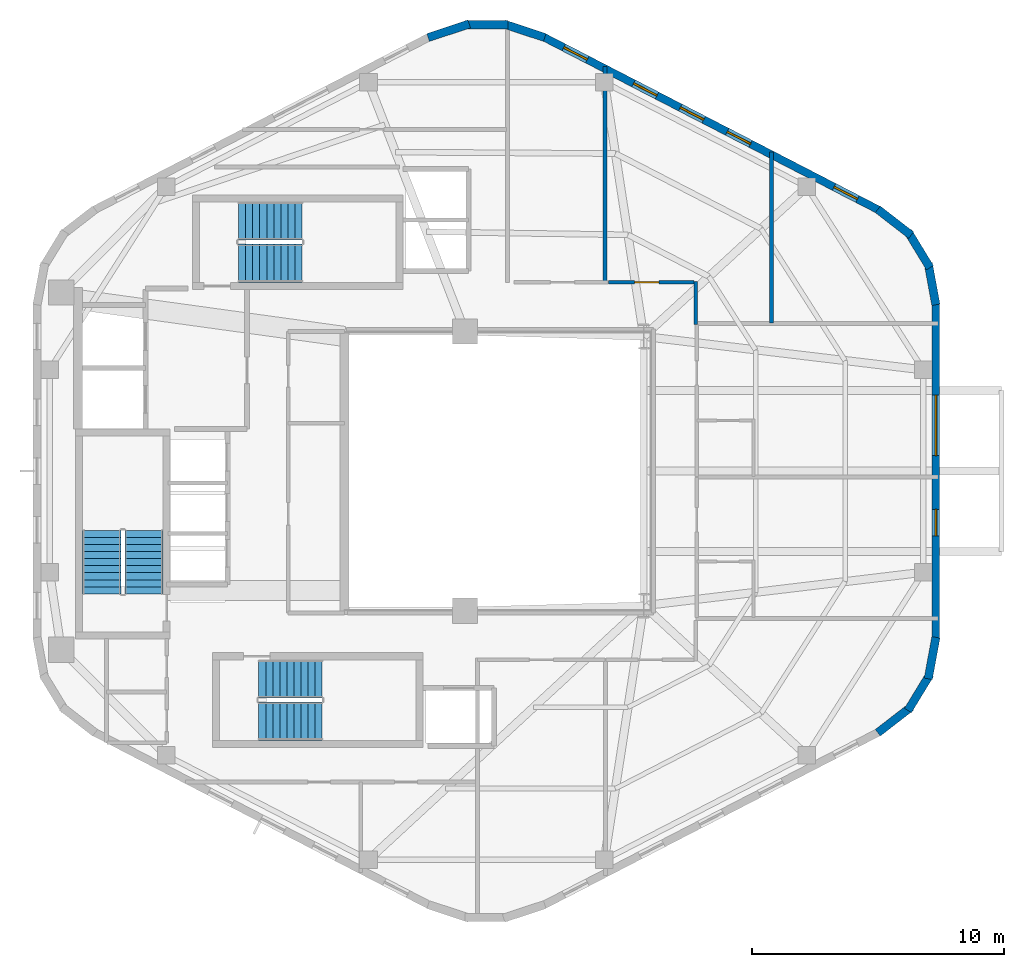
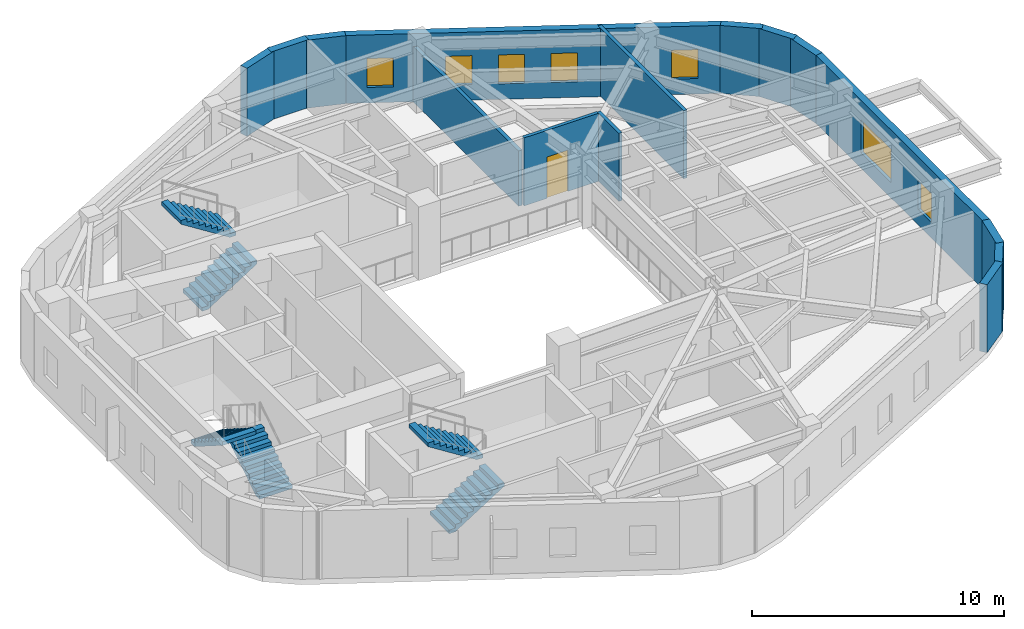
# One storey, part 5 of 6: 15 walls, 7 windows, 6 stair flights, 1 door, 8 openings, 3 elements without a shape of their own.
"""IFC4 building model written with IfcOpenShell, lengths in metres."""

from ifc_helpers import new_model, si_unit, direction, frame, frame_2d, origin, place, context, subcontext, project, spatial, polyline, rectangle, outline, extrude, material, layer, layer_set, type_object, element, fill, aggregate, save


model = new_model("IFC4")

# Units and contexts
model_context = context("Model", 3, precision=1e-05, world=origin(), true_north=direction((0.0, 1.0)))
body_context = subcontext(model_context, "Body", "Model", "MODEL_VIEW")
ifc_project = project(units=[si_unit("LENGTHUNIT", "METRE"), si_unit("AREAUNIT", "SQUARE_METRE"), si_unit("VOLUMEUNIT", "CUBIC_METRE"), si_unit("PLANEANGLEUNIT", "RADIAN"), si_unit("MASSUNIT", "GRAM", prefix="KILO"), si_unit("THERMODYNAMICTEMPERATUREUNIT", "KELVIN"), si_unit("POWERUNIT", "WATT")], contexts=[model_context])

# Site, building, storey
site_placement = place(None, origin())
site = spatial("IfcSite", under=ifc_project, at=site_placement, CompositionType="ELEMENT")
building_placement = place(site_placement, origin())
building = spatial("IfcBuilding", under=site, at=building_placement, Name="Skarre Station Tower", CompositionType="ELEMENT")
storey_placement = place(building_placement, frame((0.0, 0.0, 252.550048828125)))
storey = spatial("IfcBuildingStorey", under=building, at=storey_placement, Name="L69", CompositionType="ELEMENT", Elevation=252.550048828125)

# Wall
ifc_material_1 = material(Name="Acoustic Steel-Stud Gypsum Partition", Category="steel")
ifc_layer_1 = layer(ifc_material_1, 0.14990234375, Name="Acoustic Steel-Stud Gypsum Partition")
ifc_layer_set_1 = layer_set([ifc_layer_1], Name="Acoustic Steel-Stud Gypsum Partition")
wall_type_1 = type_object("IfcWallType", Name="Fire-Rated Corridor Acoustic Partition 150", PredefinedType="PARTITIONING", material=ifc_layer_set_1)
wall_1_placement = place(storey_placement, frame((41.52001953125, 29.820068359375, 0.0), z_axis=(0.0, 0.0, 1.0), x_axis=(0.0, 1.0, 0.0)))
element("IfcWall", 1, at=wall_1_placement, inside=storey, type_object=wall_type_1, Name="L69 Interior Partition WL-PT-L69-CORR-NER", PredefinedType="PARTITIONING", context=body_context, shape_type="SweptSolid", body=[
    extrude(rectangle(XDim=1.719970703125, YDim=0.14990234375, at=frame_2d((0.85986328125, 0.0))), origin(), (0.0, 0.0, 1.0), 3.2900390625),
])

# Wall, opening, door
wall_2_placement = place(storey_placement, frame((41.449951171875, 31.5, 0.0), z_axis=(0.0, 0.0, 1.0), x_axis=(-1.0, 0.0, 0.0)))
wall_2 = element("IfcWall", 2, at=wall_2_placement, inside=storey, type_object=wall_type_1, Name="L69 Interior Partition WL-PT-L69-NW2-CW", PredefinedType="PARTITIONING", context=body_context, shape_type="SweptSolid", body=[
    extrude(rectangle(XDim=3.40283203125, YDim=0.14990234375, at=frame_2d((1.701416015625, 0.0))), origin(), (0.0, 0.0, 1.0), 3.2900390625),
])
opening_1_placement = place(wall_2_placement, frame((1.39892578125, 0.0, 0.0)))
opening_1 = element("IfcOpeningElement", 3, at=opening_1_placement, cuts=wall_2, Name="Opening DR-FD60", PredefinedType="OPENING", context=body_context, shape_type="SweptSolid", body=[
    extrude(rectangle(XDim=0.9599609375, YDim=2.0, at=frame_2d((0.47998046875, 1.0))), frame((0.0, 0.0849609375, 0.0), z_axis=(0.0, -1.0, 0.0), x_axis=(1.0, 0.0, 0.0)), (0.0, 0.0, 1.0), 0.169921875),
])
ifc_material_2 = material(Name="Nordic White-Oak Veneer Solid-Core Fire Leaf", Category="wood")
door_type = type_object("IfcDoorType", Name="Corridor Suite Entry Fire Door FD60 960x2150", OperationType="SINGLE_SWING_LEFT", PredefinedType="DOOR", material=ifc_material_2)
door_placement = place(opening_1_placement, origin())
door = element("IfcDoor", 4, at=door_placement, inside=storey, type_object=door_type, Name="L69 NW2 Entry Door", OperationType="SINGLE_SWING_LEFT", OverallHeight=2.0, OverallWidth=0.9599609375, PredefinedType="DOOR", context=body_context, shape_type="SweptSolid", body=[
    extrude(rectangle(XDim=0.9599609375, YDim=2.0, at=frame_2d((0.47998046875, 1.0))), frame((0.0, 0.02490234375, 0.0), z_axis=(0.0, -1.0, 0.0), x_axis=(1.0, 0.0, 0.0)), (0.0, 0.0, 1.0), 0.050048828125),
])
fill(opening_1, door)

# Walls
ifc_material_3 = material(Name="Precast concrete C45/55", Category="concrete")
ifc_layer_2 = layer(ifc_material_3, 0.330078125, Name="Precast concrete C45/55")
ifc_layer_set_2 = layer_set([ifc_layer_2], Name="Precast concrete C45/55")
wall_type_2 = type_object("IfcWallType", Name="Nordic Rounded Corner Precast Wall 330", PredefinedType="STANDARD", material=ifc_layer_set_2)
wall_3_placement = place(storey_placement, frame((48.7529296875, 34.40087890625, 0.0), z_axis=(0.0, 0.0, 1.0), x_axis=(0.790691856293, -0.61221433207, 0.0)))
element("IfcWall", 5, at=wall_3_placement, inside=storey, type_object=wall_type_2, Name="L69 Rounded Corner Precast Wall F0-1", PredefinedType="STANDARD", context=body_context, shape_type="SweptSolid", body=[
    extrude(rectangle(XDim=1.67578125, YDim=0.330078125, at=frame_2d((0.837890625, 0.0))), origin(), (0.0, 0.0, 1.0), 3.2900390625),
])
wall_4_placement = place(storey_placement, frame((49.952880859375, 33.514892578125, 0.0), z_axis=(0.0, 0.0, 1.0), x_axis=(0.520325409202, -0.853968072318, 0.0)))
element("IfcWall", 6, at=wall_4_placement, inside=storey, type_object=wall_type_2, Name="L69 Rounded Corner Precast Wall F0-2", PredefinedType="STANDARD", context=body_context, shape_type="SweptSolid", body=[
    extrude(rectangle(XDim=1.677978515625, YDim=0.330078125, at=frame_2d((0.8388671875, 0.0))), origin(), (0.0, 0.0, 1.0), 3.2900390625),
])
wall_5_placement = place(storey_placement, frame((50.759033203125, 32.257080078125, 0.0), z_axis=(0.0, 0.0, 1.0), x_axis=(0.180691763044, -0.983539773862, 0.0)))
element("IfcWall", 7, at=wall_5_placement, inside=storey, type_object=wall_type_2, Name="L69 Rounded Corner Precast Wall F0-3", PredefinedType="STANDARD", context=body_context, shape_type="SweptSolid", body=[
    extrude(rectangle(XDim=1.6767578125, YDim=0.330078125, at=frame_2d((0.83837890625, 0.0))), origin(), (0.0, 0.0, 1.0), 3.2900390625),
])
wall_6_placement = place(storey_placement, frame((30.882080078125, 41.23095703125, 0.0), z_axis=(0.0, 0.0, 1.0), x_axis=(0.949713440491, 0.313120393699, 0.0)))
element("IfcWall", 8, at=wall_6_placement, inside=storey, type_object=wall_type_2, Name="L69 Rounded Corner Precast Wall F1-1", PredefinedType="STANDARD", context=body_context, shape_type="SweptSolid", body=[
    extrude(rectangle(XDim=1.7216796875, YDim=0.330078125, at=frame_2d((0.86083984375, 0.0))), origin(), (0.0, 0.0, 1.0), 3.2900390625),
])
wall_7_placement = place(storey_placement, frame((32.339111328125, 41.740966796875, 0.0), z_axis=(0.0, 0.0, 1.0), x_axis=(1.0, 0.0, 0.0)))
element("IfcWall", 9, at=wall_7_placement, inside=storey, type_object=wall_type_2, Name="L69 Rounded Corner Precast Wall F1-2", PredefinedType="STANDARD", context=body_context, shape_type="SweptSolid", body=[
    extrude(rectangle(XDim=1.721923828125, YDim=0.330078125, at=frame_2d((0.86083984375, 0.0))), origin(), (0.0, 0.0, 1.0), 3.2900390625),
])
wall_8_placement = place(storey_placement, frame((33.883056640625, 41.77001953125, 0.0), z_axis=(0.0, 0.0, 1.0), x_axis=(0.949713440491, -0.313120393699, 0.0)))
element("IfcWall", 10, at=wall_8_placement, inside=storey, type_object=wall_type_2, Name="L69 Rounded Corner Precast Wall F1-3", PredefinedType="STANDARD", context=body_context, shape_type="SweptSolid", body=[
    extrude(rectangle(XDim=1.7216796875, YDim=0.330078125, at=frame_2d((0.86083984375, 0.0))), origin(), (0.0, 0.0, 1.0), 3.2900390625),
])
wall_9_placement = place(storey_placement, frame((51.06201171875, 17.39208984375, 0.0), z_axis=(0.0, 0.0, 1.0), x_axis=(-0.180691763044, -0.983539773862, 0.0)))
element("IfcWall", 11, at=wall_9_placement, inside=storey, type_object=wall_type_2, Name="L69 Rounded Corner Precast Wall F5-1", PredefinedType="STANDARD", context=body_context, shape_type="SweptSolid", body=[
    extrude(rectangle(XDim=1.6767578125, YDim=0.330078125, at=frame_2d((0.83837890625, 0.0))), origin(), (0.0, 0.0, 1.0), 3.2900390625),
])
wall_10_placement = place(storey_placement, frame((50.825927734375, 15.91796875, 0.0), z_axis=(0.0, 0.0, 1.0), x_axis=(-0.520325409202, -0.853968072318, 0.0)))
element("IfcWall", 12, at=wall_10_placement, inside=storey, type_object=wall_type_2, Name="L69 Rounded Corner Precast Wall F5-2", PredefinedType="STANDARD", context=body_context, shape_type="SweptSolid", body=[
    extrude(rectangle(XDim=1.677978515625, YDim=0.330078125, at=frame_2d((0.8388671875, 0.0))), origin(), (0.0, 0.0, 1.0), 3.2900390625),
])
wall_11_placement = place(storey_placement, frame((50.077880859375, 14.625, 0.0), z_axis=(0.0, 0.0, 1.0), x_axis=(-0.790691856293, -0.61221433207, 0.0)))
element("IfcWall", 13, at=wall_11_placement, inside=storey, type_object=wall_type_2, Name="L69 Rounded Corner Precast Wall F5-3", PredefinedType="STANDARD", context=body_context, shape_type="SweptSolid", body=[
    extrude(rectangle(XDim=1.67578125, YDim=0.330078125, at=frame_2d((0.837890625, 0.0))), origin(), (0.0, 0.0, 1.0), 3.2900390625),
])

# Wall, openings, windows
ifc_layer_3 = layer(ifc_material_3, 0.31005859375, Name="Precast concrete C45/55")
ifc_layer_set_3 = layer_set([ifc_layer_3], Name="Precast concrete C45/55")
wall_type_3 = type_object("IfcWallType", Name="Nordic Upper-Zone Precast Facet Wall 310", PredefinedType="STANDARD", material=ifc_layer_set_3)
wall_12_placement = place(storey_placement, frame((35.43701171875, 41.27001953125, 0.0), z_axis=(0.0, 0.0, 1.0), x_axis=(0.888581481622, -0.458718814218, 0.0)))
wall_12 = element("IfcWall", 14, at=wall_12_placement, inside=storey, type_object=wall_type_3, Name="L69 Facet 0 Nordic Precast Masonry Wall", PredefinedType="STANDARD", context=body_context, shape_type="SweptSolid", body=[
    extrude(rectangle(XDim=15.076904296875, YDim=0.31005859375, at=frame_2d((7.53857421875, 0.0))), origin(), (0.0, 0.0, 1.0), 3.2900390625),
])
opening_2_placement = place(wall_12_placement, frame((0.94189453125, 0.0, 0.75)))
opening_2 = element("IfcOpeningElement", 15, at=opening_2_placement, cuts=wall_12, Name="Opening WN-SLT", PredefinedType="OPENING", context=body_context, shape_type="SweptSolid", body=[
    extrude(rectangle(XDim=1.050048828125, YDim=1.39990234375, at=frame_2d((0.52490234375, 0.699951171875))), frame((0.0, 0.1650390625, 0.0), z_axis=(0.0, -1.0, 0.0), x_axis=(1.0, 0.0, 0.0)), (0.0, 0.0, 1.0), 0.330078125),
])
opening_3_placement = place(wall_12_placement, frame((4.05810546875, 0.0, 0.75)))
opening_3 = element("IfcOpeningElement", 16, at=opening_3_placement, cuts=wall_12, Name="Opening WN-SLT", PredefinedType="OPENING", context=body_context, shape_type="SweptSolid", body=[
    extrude(rectangle(XDim=1.050048828125, YDim=1.39990234375, at=frame_2d((0.52490234375, 0.699951171875))), frame((0.0, 0.1650390625, 0.0), z_axis=(0.0, -1.0, 0.0), x_axis=(1.0, 0.0, 0.0)), (0.0, 0.0, 1.0), 0.330078125),
])
opening_4_placement = place(wall_12_placement, frame((6.153076171875, 0.0, 0.75)))
opening_4 = element("IfcOpeningElement", 17, at=opening_4_placement, cuts=wall_12, Name="Opening WN-SLT", PredefinedType="OPENING", context=body_context, shape_type="SweptSolid", body=[
    extrude(rectangle(XDim=1.050048828125, YDim=1.39990234375, at=frame_2d((0.52490234375, 0.699951171875))), frame((0.0, 0.1650390625, 0.0), z_axis=(0.0, -1.0, 0.0), x_axis=(1.0, 0.0, 0.0)), (0.0, 0.0, 1.0), 0.330078125),
])
opening_5_placement = place(wall_12_placement, frame((8.2490234375, 0.0, 0.75)))
opening_5 = element("IfcOpeningElement", 18, at=opening_5_placement, cuts=wall_12, Name="Opening WN-SLT", PredefinedType="OPENING", context=body_context, shape_type="SweptSolid", body=[
    extrude(rectangle(XDim=1.050048828125, YDim=1.39990234375, at=frame_2d((0.52490234375, 0.699951171875))), frame((0.0, 0.1650390625, 0.0), z_axis=(0.0, -1.0, 0.0), x_axis=(1.0, 0.0, 0.0)), (0.0, 0.0, 1.0), 0.330078125),
])
opening_6_placement = place(wall_12_placement, frame((13.029052734375, 0.0, 0.75)))
opening_6 = element("IfcOpeningElement", 19, at=opening_6_placement, cuts=wall_12, Name="Opening WN-SLT", PredefinedType="OPENING", context=body_context, shape_type="SweptSolid", body=[
    extrude(rectangle(XDim=1.050048828125, YDim=1.39990234375, at=frame_2d((0.52490234375, 0.699951171875))), frame((0.0, 0.1650390625, 0.0), z_axis=(0.0, -1.0, 0.0), x_axis=(1.0, 0.0, 0.0)), (0.0, 0.0, 1.0), 0.330078125),
])
ifc_material_4 = material(Name="Low-Iron Triple Glazing with Bronze Anodized Frame", Category="glass")
window_type_1 = type_object("IfcWindowType", Name="Nordic Corner Slot Window 1050x1400", PartitioningType="SINGLE_PANEL", PredefinedType="WINDOW", material=ifc_material_4)
window_1_placement = place(opening_2_placement, origin())
window_1 = element("IfcWindow", 20, at=window_1_placement, inside=storey, type_object=window_type_1, Name="L69 Facade Window WL-FAC-L69-F0-1", OverallHeight=1.39990234375, OverallWidth=1.050048828125, PartitioningType="SINGLE_PANEL", PredefinedType="WINDOW", context=body_context, shape_type="SweptSolid", body=[
    extrude(rectangle(XDim=1.050048828125, YDim=1.39990234375, at=frame_2d((0.52490234375, 0.699951171875))), frame((0.0, 0.030029296875, 0.0), z_axis=(0.0, -1.0, 0.0), x_axis=(1.0, 0.0, 0.0)), (0.0, 0.0, 1.0), 0.06005859375),
])
fill(opening_2, window_1)
window_2_placement = place(opening_3_placement, origin())
window_2 = element("IfcWindow", 21, at=window_2_placement, inside=storey, type_object=window_type_1, Name="L69 Facade Window WL-FAC-L69-F0-2", OverallHeight=1.39990234375, OverallWidth=1.050048828125, PartitioningType="SINGLE_PANEL", PredefinedType="WINDOW", context=body_context, shape_type="SweptSolid", body=[
    extrude(rectangle(XDim=1.050048828125, YDim=1.39990234375, at=frame_2d((0.52490234375, 0.699951171875))), frame((0.0, 0.030029296875, 0.0), z_axis=(0.0, -1.0, 0.0), x_axis=(1.0, 0.0, 0.0)), (0.0, 0.0, 1.0), 0.06005859375),
])
fill(opening_3, window_2)
window_3_placement = place(opening_4_placement, origin())
window_3 = element("IfcWindow", 22, at=window_3_placement, inside=storey, type_object=window_type_1, Name="L69 Facade Window WL-FAC-L69-F0-3", OverallHeight=1.39990234375, OverallWidth=1.050048828125, PartitioningType="SINGLE_PANEL", PredefinedType="WINDOW", context=body_context, shape_type="SweptSolid", body=[
    extrude(rectangle(XDim=1.050048828125, YDim=1.39990234375, at=frame_2d((0.52490234375, 0.699951171875))), frame((0.0, 0.030029296875, 0.0), z_axis=(0.0, -1.0, 0.0), x_axis=(1.0, 0.0, 0.0)), (0.0, 0.0, 1.0), 0.06005859375),
])
fill(opening_4, window_3)
window_4_placement = place(opening_5_placement, origin())
window_4 = element("IfcWindow", 23, at=window_4_placement, inside=storey, type_object=window_type_1, Name="L69 Facade Window WL-FAC-L69-F0-4", OverallHeight=1.39990234375, OverallWidth=1.050048828125, PartitioningType="SINGLE_PANEL", PredefinedType="WINDOW", context=body_context, shape_type="SweptSolid", body=[
    extrude(rectangle(XDim=1.050048828125, YDim=1.39990234375, at=frame_2d((0.52490234375, 0.699951171875))), frame((0.0, 0.030029296875, 0.0), z_axis=(0.0, -1.0, 0.0), x_axis=(1.0, 0.0, 0.0)), (0.0, 0.0, 1.0), 0.06005859375),
])
fill(opening_5, window_4)
window_5_placement = place(opening_6_placement, origin())
window_5 = element("IfcWindow", 24, at=window_5_placement, inside=storey, type_object=window_type_1, Name="L69 Facade Window WL-FAC-L69-F0-5", OverallHeight=1.39990234375, OverallWidth=1.050048828125, PartitioningType="SINGLE_PANEL", PredefinedType="WINDOW", context=body_context, shape_type="SweptSolid", body=[
    extrude(rectangle(XDim=1.050048828125, YDim=1.39990234375, at=frame_2d((0.52490234375, 0.699951171875))), frame((0.0, 0.030029296875, 0.0), z_axis=(0.0, -1.0, 0.0), x_axis=(1.0, 0.0, 0.0)), (0.0, 0.0, 1.0), 0.06005859375),
])
fill(opening_6, window_5)

wall_13_placement = place(storey_placement, frame((51.05810546875, 30.701904296875, 0.0), z_axis=(0.0, 0.0, 1.0), x_axis=(0.0, -1.0, 0.0)))
wall_13 = element("IfcWall", 25, at=wall_13_placement, inside=storey, type_object=wall_type_3, Name="L69 Facet 5 Nordic Precast Masonry Wall", PredefinedType="STANDARD", context=body_context, shape_type="SweptSolid", body=[
    extrude(rectangle(XDim=13.40380859375, YDim=0.31005859375, at=frame_2d((6.701904296875, 0.0))), origin(), (0.0, 0.0, 1.0), 3.2900390625),
])
opening_7_placement = place(wall_13_placement, frame((3.68701171875, 0.0, 0.75)))
opening_7 = element("IfcOpeningElement", 26, at=opening_7_placement, cuts=wall_13, Name="Opening WN-Z4A", PredefinedType="OPENING", context=body_context, shape_type="SweptSolid", body=[
    extrude(rectangle(XDim=2.39990234375, YDim=1.60009765625, at=frame_2d((1.199951171875, 0.800048828125))), frame((0.0, 0.1650390625, 0.0), z_axis=(0.0, -1.0, 0.0), x_axis=(1.0, 0.0, 0.0)), (0.0, 0.0, 1.0), 0.330078125),
])
opening_8_placement = place(wall_13_placement, frame((8.22509765625, 0.0, 0.75)))
opening_8 = element("IfcOpeningElement", 27, at=opening_8_placement, cuts=wall_13, Name="Opening WN-SLT", PredefinedType="OPENING", context=body_context, shape_type="SweptSolid", body=[
    extrude(rectangle(XDim=1.050048828125, YDim=1.39990234375, at=frame_2d((0.52490234375, 0.699951171875))), frame((0.0, 0.1650390625, 0.0), z_axis=(0.0, -1.0, 0.0), x_axis=(1.0, 0.0, 0.0)), (0.0, 0.0, 1.0), 0.330078125),
])
window_6_placement = place(opening_8_placement, origin())
window_6 = element("IfcWindow", 28, at=window_6_placement, inside=storey, type_object=window_type_1, Name="L69 Facade Window WL-FAC-L69-F5-2", OverallHeight=1.39990234375, OverallWidth=1.050048828125, PartitioningType="SINGLE_PANEL", PredefinedType="WINDOW", context=body_context, shape_type="SweptSolid", body=[
    extrude(rectangle(XDim=1.050048828125, YDim=1.39990234375, at=frame_2d((0.52490234375, 0.699951171875))), frame((0.0, 0.030029296875, 0.0), z_axis=(0.0, -1.0, 0.0), x_axis=(1.0, 0.0, 0.0)), (0.0, 0.0, 1.0), 0.06005859375),
])
fill(opening_8, window_6)
window_type_2 = type_object("IfcWindowType", Name="Nordic Crown Panorama Window 2400x1600", PartitioningType="SINGLE_PANEL", PredefinedType="WINDOW", material=ifc_material_4)
window_7_placement = place(opening_7_placement, origin())
window_7 = element("IfcWindow", 29, at=window_7_placement, inside=storey, type_object=window_type_2, Name="L69 Facade Window WL-FAC-L69-F5-1", OverallHeight=1.60009765625, OverallWidth=2.39990234375, PartitioningType="SINGLE_PANEL", PredefinedType="WINDOW", context=body_context, shape_type="SweptSolid", body=[
    extrude(rectangle(XDim=2.39990234375, YDim=1.60009765625, at=frame_2d((1.199951171875, 0.800048828125))), frame((0.0, 0.030029296875, 0.0), z_axis=(0.0, -1.0, 0.0), x_axis=(1.0, 0.0, 0.0)), (0.0, 0.0, 1.0), 0.06005859375),
])
fill(opening_7, window_7)

# Walls
ifc_layer_4 = layer(ifc_material_1, 0.1650390625, Name="Acoustic Steel-Stud Gypsum Partition")
ifc_layer_set_4 = layer_set([ifc_layer_4], Name="Acoustic Steel-Stud Gypsum Partition")
wall_type_4 = type_object("IfcWallType", Name="Suite Demising Acoustic Partition 165", PredefinedType="PARTITIONING", material=ifc_layer_set_4)
wall_14_placement = place(storey_placement, frame((37.9169921875, 31.510009765625, 0.0), z_axis=(0.0, 0.0, 1.0), x_axis=(0.0, 1.0, 0.0)))
element("IfcWall", 30, at=wall_14_placement, inside=storey, type_object=wall_type_4, Name="L69 Interior Partition WL-PT-L69-NW-P1", PredefinedType="PARTITIONING", context=body_context, shape_type="SweptSolid", body=[
    extrude(rectangle(XDim=8.575927734375, YDim=0.1650390625, at=frame_2d((4.2880859375, 0.0))), origin(), (0.0, 0.0, 1.0), 2.678955078125),
])
wall_15_placement = place(storey_placement, frame((44.52490234375, 29.889892578125, 0.0), z_axis=(0.0, 0.0, 1.0), x_axis=(0.0, 1.0, 0.0)))
element("IfcWall", 31, at=wall_15_placement, inside=storey, type_object=wall_type_4, Name="L69 Interior Partition WL-PT-L69-NW-P2", PredefinedType="PARTITIONING", context=body_context, shape_type="SweptSolid", body=[
    extrude(rectangle(XDim=6.7841796875, YDim=0.1650390625, at=frame_2d((3.39208984375, 0.0))), origin(), (0.0, 0.0, 1.0), 3.2900390625),
])

# Stair, stair flights
ifc_material_5 = material(Name="Concrete C40/50", Category="concrete")
stair_type_1 = type_object("IfcStairType", Name="Reinforced Concrete Exit Stair ST-1", PredefinedType="HALF_TURN_STAIR", material=ifc_material_5)
stair_1_placement = place(storey_placement, origin())
stair_1 = element("IfcStair", 32, at=stair_1_placement, inside=storey, type_object=stair_type_1, Name="L69 Core Exit Stair ST-1", PredefinedType="HALF_TURN_STAIR")
stair_flight_type_1 = type_object("IfcStairFlightType", Name="Reinforced Concrete Stair Flight ST-1", PredefinedType="STRAIGHT", material=ifc_material_5)
stair_flight_1_placement = place(storey_placement, frame((19.590087890625, 19.1201171875, 0.0), z_axis=(0.0, 0.0, 1.0), x_axis=(0.0, 1.0, 0.0)))
stair_flight_1 = element("IfcStairFlight", 33, at=stair_flight_1_placement, type_object=stair_flight_type_1, Name="ST-1 flight 1", NumberOfRisers=10, NumberOfTreads=9, PredefinedType="STRAIGHT", RiserHeight=0.1775, TreadLength=0.28, context=body_context, shape_type="SweptSolid", body=[
    extrude(outline(polyline([(0.0, 0.0), (0.0, 0.177490234375), (0.280029296875, 0.177490234375), (0.280029296875, 0.35498046875), (0.56005859375, 0.35498046875), (0.56005859375, 0.532470703125), (0.840087890625, 0.532470703125), (0.840087890625, 0.7099609375), (1.1201171875, 0.7099609375), (1.1201171875, 0.887451171875), (1.39990234375, 0.887451171875), (1.39990234375, 1.06494140625), (1.679931640625, 1.06494140625), (1.679931640625, 1.242431640625), (1.9599609375, 1.242431640625), (1.9599609375, 1.419921875), (2.239990234375, 1.419921875), (2.239990234375, 1.597412109375), (2.52001953125, 1.597412109375), (2.52001953125, 1.77490234375), (2.52001953125, 1.419921875), (0.280029296875, 0.0), (0.0, 0.0)])), frame((0.0, 0.760009765625, 0.0), z_axis=(0.0, -1.0, 0.0), x_axis=(1.0, 0.0, 0.0)), (0.0, 0.0, 1.0), 1.52001953125),
])
stair_flight_2_placement = place(storey_placement, frame((17.909912109375, 21.639892578125, 1.77490234375), z_axis=(0.0, 0.0, 1.0), x_axis=(0.0, -1.0, 0.0)))
stair_flight_2 = element("IfcStairFlight", 34, at=stair_flight_2_placement, type_object=stair_flight_type_1, Name="ST-1 flight 2", NumberOfRisers=10, NumberOfTreads=9, PredefinedType="STRAIGHT", RiserHeight=0.1775, TreadLength=0.28, context=body_context, shape_type="SweptSolid", body=[
    extrude(outline(polyline([(0.0, 0.0), (0.0, 0.177490234375), (0.280029296875, 0.177490234375), (0.280029296875, 0.35498046875), (0.56005859375, 0.35498046875), (0.56005859375, 0.532470703125), (0.840087890625, 0.532470703125), (0.840087890625, 0.7099609375), (1.1201171875, 0.7099609375), (1.1201171875, 0.887451171875), (1.39990234375, 0.887451171875), (1.39990234375, 1.06494140625), (1.679931640625, 1.06494140625), (1.679931640625, 1.242431640625), (1.9599609375, 1.242431640625), (1.9599609375, 1.419921875), (2.239990234375, 1.419921875), (2.239990234375, 1.597412109375), (2.52001953125, 1.597412109375), (2.52001953125, 1.77490234375), (2.52001953125, 1.419921875), (0.280029296875, 0.0), (0.0, 0.0)])), frame((0.0, 0.760009765625, 0.0), z_axis=(0.0, -1.0, 0.0), x_axis=(1.0, 0.0, 0.0)), (0.0, 0.0, 1.0), 1.52001953125),
])
aggregate(stair_1, [stair_flight_1, stair_flight_2])

stair_type_2 = type_object("IfcStairType", Name="Reinforced Concrete Exit Stair ST-2", PredefinedType="HALF_TURN_STAIR", material=ifc_material_5)
stair_2_placement = place(storey_placement, origin())
stair_2 = element("IfcStair", 35, at=stair_2_placement, inside=storey, type_object=stair_type_2, Name="L69 Core Exit Stair ST-2", PredefinedType="HALF_TURN_STAIR")
stair_flight_type_2 = type_object("IfcStairFlightType", Name="Reinforced Concrete Stair Flight ST-2", PredefinedType="STRAIGHT", material=ifc_material_5)
stair_flight_3_placement = place(storey_placement, frame((24.14990234375, 14.06005859375, 0.0), z_axis=(0.0, 0.0, 1.0), x_axis=(1.0, 0.0, 0.0)))
stair_flight_3 = element("IfcStairFlight", 36, at=stair_flight_3_placement, type_object=stair_flight_type_2, Name="ST-2 flight 1", NumberOfRisers=10, NumberOfTreads=9, PredefinedType="STRAIGHT", RiserHeight=0.1775, TreadLength=0.28, context=body_context, shape_type="SweptSolid", body=[
    extrude(outline(polyline([(0.0, 0.0), (0.0, 0.177490234375), (0.280029296875, 0.177490234375), (0.280029296875, 0.35498046875), (0.56005859375, 0.35498046875), (0.56005859375, 0.532470703125), (0.840087890625, 0.532470703125), (0.840087890625, 0.7099609375), (1.1201171875, 0.7099609375), (1.1201171875, 0.887451171875), (1.39990234375, 0.887451171875), (1.39990234375, 1.06494140625), (1.679931640625, 1.06494140625), (1.679931640625, 1.242431640625), (1.9599609375, 1.242431640625), (1.9599609375, 1.419921875), (2.239990234375, 1.419921875), (2.239990234375, 1.597412109375), (2.52001953125, 1.597412109375), (2.52001953125, 1.77490234375), (2.52001953125, 1.419921875), (0.280029296875, 0.0), (0.0, 0.0)])), frame((0.0, 0.760009765625, 0.0), z_axis=(0.0, -1.0, 0.0), x_axis=(1.0, 0.0, 0.0)), (0.0, 0.0, 1.0), 1.52001953125),
])
stair_flight_4_placement = place(storey_placement, frame((26.669921875, 15.739990234375, 1.77490234375), z_axis=(0.0, 0.0, 1.0), x_axis=(-1.0, 0.0, 0.0)))
stair_flight_4 = element("IfcStairFlight", 37, at=stair_flight_4_placement, type_object=stair_flight_type_2, Name="ST-2 flight 2", NumberOfRisers=10, NumberOfTreads=9, PredefinedType="STRAIGHT", RiserHeight=0.1775, TreadLength=0.28, context=body_context, shape_type="SweptSolid", body=[
    extrude(outline(polyline([(0.0, 0.0), (0.0, 0.177490234375), (0.280029296875, 0.177490234375), (0.280029296875, 0.35498046875), (0.56005859375, 0.35498046875), (0.56005859375, 0.532470703125), (0.840087890625, 0.532470703125), (0.840087890625, 0.7099609375), (1.1201171875, 0.7099609375), (1.1201171875, 0.887451171875), (1.39990234375, 0.887451171875), (1.39990234375, 1.06494140625), (1.679931640625, 1.06494140625), (1.679931640625, 1.242431640625), (1.9599609375, 1.242431640625), (1.9599609375, 1.419921875), (2.239990234375, 1.419921875), (2.239990234375, 1.597412109375), (2.52001953125, 1.597412109375), (2.52001953125, 1.77490234375), (2.52001953125, 1.419921875), (0.280029296875, 0.0), (0.0, 0.0)])), frame((0.0, 0.760009765625, 0.0), z_axis=(0.0, -1.0, 0.0), x_axis=(1.0, 0.0, 0.0)), (0.0, 0.0, 1.0), 1.52001953125),
])
aggregate(stair_2, [stair_flight_3, stair_flight_4])

stair_type_3 = type_object("IfcStairType", Name="Reinforced Concrete Exit Stair ST-3", PredefinedType="HALF_TURN_STAIR", material=ifc_material_5)
stair_3_placement = place(storey_placement, origin())
stair_3 = element("IfcStair", 38, at=stair_3_placement, inside=storey, type_object=stair_type_3, Name="L69 Core Exit Stair ST-3", PredefinedType="HALF_TURN_STAIR")
stair_flight_type_3 = type_object("IfcStairFlightType", Name="Reinforced Concrete Stair Flight ST-3", PredefinedType="STRAIGHT", material=ifc_material_5)
stair_flight_5_placement = place(storey_placement, frame((23.35009765625, 32.260009765625, 0.0), z_axis=(0.0, 0.0, 1.0), x_axis=(1.0, 0.0, 0.0)))
stair_flight_5 = element("IfcStairFlight", 39, at=stair_flight_5_placement, type_object=stair_flight_type_3, Name="ST-3 flight 1", NumberOfRisers=10, NumberOfTreads=9, PredefinedType="STRAIGHT", RiserHeight=0.1775, TreadLength=0.28, context=body_context, shape_type="SweptSolid", body=[
    extrude(outline(polyline([(0.0, 0.0), (0.0, 0.177490234375), (0.280029296875, 0.177490234375), (0.280029296875, 0.35498046875), (0.56005859375, 0.35498046875), (0.56005859375, 0.532470703125), (0.840087890625, 0.532470703125), (0.840087890625, 0.7099609375), (1.1201171875, 0.7099609375), (1.1201171875, 0.887451171875), (1.39990234375, 0.887451171875), (1.39990234375, 1.06494140625), (1.679931640625, 1.06494140625), (1.679931640625, 1.242431640625), (1.9599609375, 1.242431640625), (1.9599609375, 1.419921875), (2.239990234375, 1.419921875), (2.239990234375, 1.597412109375), (2.52001953125, 1.597412109375), (2.52001953125, 1.77490234375), (2.52001953125, 1.419921875), (0.280029296875, 0.0), (0.0, 0.0)])), frame((0.0, 0.760009765625, 0.0), z_axis=(0.0, -1.0, 0.0), x_axis=(1.0, 0.0, 0.0)), (0.0, 0.0, 1.0), 1.52001953125),
])
stair_flight_6_placement = place(storey_placement, frame((25.8701171875, 33.93994140625, 1.77490234375), z_axis=(0.0, 0.0, 1.0), x_axis=(-1.0, 0.0, 0.0)))
stair_flight_6 = element("IfcStairFlight", 40, at=stair_flight_6_placement, type_object=stair_flight_type_3, Name="ST-3 flight 2", NumberOfRisers=10, NumberOfTreads=9, PredefinedType="STRAIGHT", RiserHeight=0.1775, TreadLength=0.28, context=body_context, shape_type="SweptSolid", body=[
    extrude(outline(polyline([(0.0, 0.0), (0.0, 0.177490234375), (0.280029296875, 0.177490234375), (0.280029296875, 0.35498046875), (0.56005859375, 0.35498046875), (0.56005859375, 0.532470703125), (0.840087890625, 0.532470703125), (0.840087890625, 0.7099609375), (1.1201171875, 0.7099609375), (1.1201171875, 0.887451171875), (1.39990234375, 0.887451171875), (1.39990234375, 1.06494140625), (1.679931640625, 1.06494140625), (1.679931640625, 1.242431640625), (1.9599609375, 1.242431640625), (1.9599609375, 1.419921875), (2.239990234375, 1.419921875), (2.239990234375, 1.597412109375), (2.52001953125, 1.597412109375), (2.52001953125, 1.77490234375), (2.52001953125, 1.419921875), (0.280029296875, 0.0), (0.0, 0.0)])), frame((0.0, 0.760009765625, 0.0), z_axis=(0.0, -1.0, 0.0), x_axis=(1.0, 0.0, 0.0)), (0.0, 0.0, 1.0), 1.52001953125),
])
aggregate(stair_3, [stair_flight_5, stair_flight_6])

save(model, "model.ifc")
